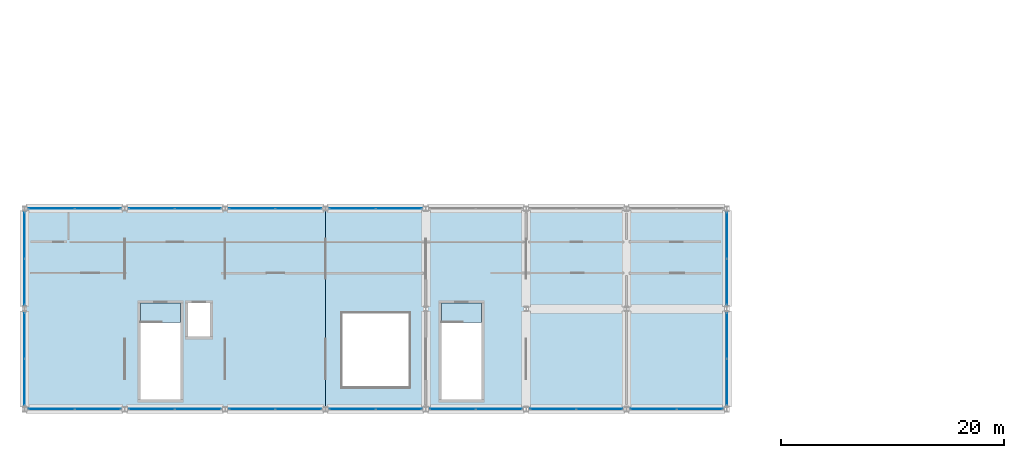
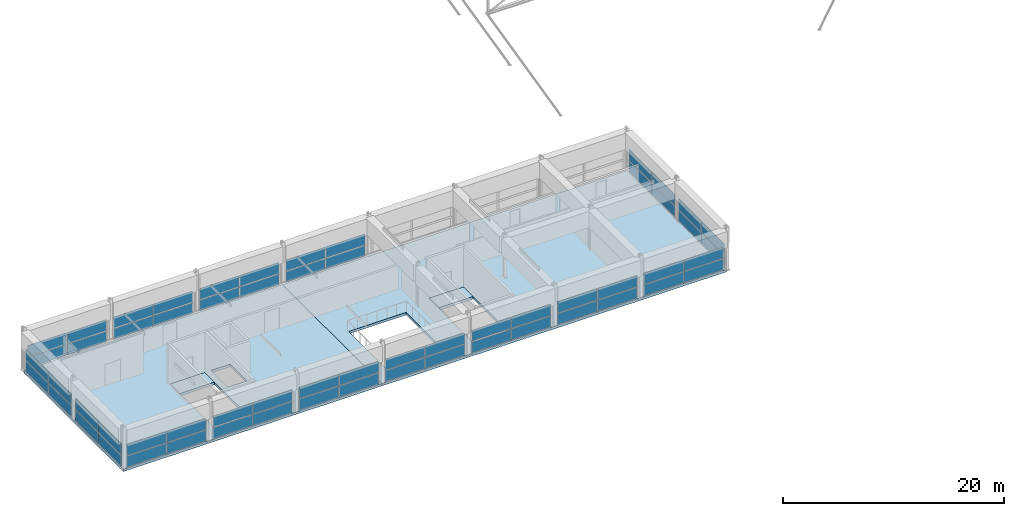
# One storey, part 45 of 56: 60 plates, 4 slabs, 15 elements without a shape of their own.
"""IFC4 building model written with IfcOpenShell, lengths in metres."""

from ifc_helpers import new_model, si_unit, direction, frame, origin, origin_2d, place, context, subcontext, project, spatial, polyline, rectangle, outline, extrude, material, layer, layer_set, type_object, element, aggregate, save


model = new_model("IFC4")

# Units and contexts
model_context = context("Model", 3, precision=1e-05, world=origin(), true_north=direction((0.0, 1.0)))
body_context = subcontext(model_context, "Body", "Model", "MODEL_VIEW")
ifc_project = project(units=[si_unit("LENGTHUNIT", "METRE"), si_unit("AREAUNIT", "SQUARE_METRE"), si_unit("VOLUMEUNIT", "CUBIC_METRE"), si_unit("PLANEANGLEUNIT", "RADIAN"), si_unit("MASSUNIT", "GRAM", prefix="KILO")], contexts=[model_context])

# Site, building, storey
site_placement = place(None, origin())
site = spatial("IfcSite", under=ifc_project, at=site_placement, CompositionType="ELEMENT")
building_placement = place(site_placement, origin())
building = spatial("IfcBuilding", under=site, at=building_placement, Name="Bozkorgan Art Gallery", CompositionType="ELEMENT")
storey_placement = place(building_placement, frame((0.0, 0.0, 24.0)))
storey = spatial("IfcBuildingStorey", under=building, at=storey_placement, Name="L05", CompositionType="ELEMENT", Elevation=24.0)

# Curtain wall, plates
ifc_material_1 = material(Name="Anodised Bronze Aluminium", Category="aluminium")
curtain_wall_type = type_object("IfcCurtainWallType", Name="CW-CW-23", PredefinedType="NOTDEFINED", material=ifc_material_1)
curtain_wall_1_placement = place(storey_placement, origin())
curtain_wall_1 = element("IfcCurtainWall", 1, at=curtain_wall_1_placement, inside=storey, type_object=curtain_wall_type, Name="L05 unitised curtain wall CW-V1-L05-1S-01", PredefinedType="NOTDEFINED")
ifc_material_2 = material(Name="Triple Low-E Laminated Glass", Category="glass")
ifc_layer_1 = layer(ifc_material_2, 0.0439453125, Name="Triple Low-E Laminated Glass")
ifc_layer_set_1 = layer_set([ifc_layer_1], Name="Triple Low-E Laminated Glass")
plate_type = type_object("IfcPlateType", Name="CWP-GLZ", PredefinedType="CURTAIN_PANEL", material=ifc_layer_set_1)
plate_1_placement = place(storey_placement, frame((4.423828125, 2.0, 0.10009765625), z_axis=(0.0, 0.0, 1.0), x_axis=(1.0, 0.0, 0.0)))
plate_1 = element("IfcPlate", 2, at=plate_1_placement, type_object=plate_type, Name="CW-23 panel 1.1", PredefinedType="CURTAIN_PANEL", context=body_context, shape_type="SweptSolid", body=[
    extrude(rectangle(XDim=4.08740234375, YDim=0.0439453125, at=origin_2d()), origin(), (0.0, 0.0, 1.0), 1.202880859375),
])
plate_2_placement = place(storey_placement, frame((4.423828125, 2.0, 1.3828125), z_axis=(0.0, 0.0, 1.0), x_axis=(1.0, 0.0, 0.0)))
plate_2 = element("IfcPlate", 3, at=plate_2_placement, type_object=plate_type, Name="CW-23 panel 1.2", PredefinedType="CURTAIN_PANEL", context=body_context, shape_type="SweptSolid", body=[
    extrude(rectangle(XDim=4.08740234375, YDim=0.0439453125, at=origin_2d()), origin(), (0.0, 0.0, 1.0), 1.201904296875),
])
plate_3_placement = place(storey_placement, frame((8.576171875, 2.0, 0.10009765625), z_axis=(0.0, 0.0, 1.0), x_axis=(1.0, 0.0, 0.0)))
plate_3 = element("IfcPlate", 4, at=plate_3_placement, type_object=plate_type, Name="CW-23 panel 2.1", PredefinedType="CURTAIN_PANEL", context=body_context, shape_type="SweptSolid", body=[
    extrude(rectangle(XDim=4.08740234375, YDim=0.0439453125, at=origin_2d()), origin(), (0.0, 0.0, 1.0), 1.202880859375),
])
plate_4_placement = place(storey_placement, frame((8.576171875, 2.0, 1.3828125), z_axis=(0.0, 0.0, 1.0), x_axis=(1.0, 0.0, 0.0)))
plate_4 = element("IfcPlate", 5, at=plate_4_placement, type_object=plate_type, Name="CW-23 panel 2.2", PredefinedType="CURTAIN_PANEL", context=body_context, shape_type="SweptSolid", body=[
    extrude(rectangle(XDim=4.08740234375, YDim=0.0439453125, at=origin_2d()), origin(), (0.0, 0.0, 1.0), 1.201904296875),
])
aggregate(curtain_wall_1, [plate_1, plate_2, plate_3, plate_4])

curtain_wall_2_placement = place(storey_placement, origin())
curtain_wall_2 = element("IfcCurtainWall", 6, at=curtain_wall_2_placement, inside=storey, type_object=curtain_wall_type, Name="L05 unitised curtain wall CW-V1-L05-1N-02", PredefinedType="NOTDEFINED")
plate_5_placement = place(storey_placement, frame((4.423828125, 20.0, 0.10009765625), z_axis=(0.0, 0.0, 1.0), x_axis=(1.0, 0.0, 0.0)))
plate_5 = element("IfcPlate", 7, at=plate_5_placement, type_object=plate_type, Name="CW-23 panel 1.1", PredefinedType="CURTAIN_PANEL", context=body_context, shape_type="SweptSolid", body=[
    extrude(rectangle(XDim=4.08740234375, YDim=0.0439453125, at=origin_2d()), origin(), (0.0, 0.0, 1.0), 1.202880859375),
])
plate_6_placement = place(storey_placement, frame((4.423828125, 20.0, 1.3828125), z_axis=(0.0, 0.0, 1.0), x_axis=(1.0, 0.0, 0.0)))
plate_6 = element("IfcPlate", 8, at=plate_6_placement, type_object=plate_type, Name="CW-23 panel 1.2", PredefinedType="CURTAIN_PANEL", context=body_context, shape_type="SweptSolid", body=[
    extrude(rectangle(XDim=4.08740234375, YDim=0.0439453125, at=origin_2d()), origin(), (0.0, 0.0, 1.0), 1.201904296875),
])
plate_7_placement = place(storey_placement, frame((8.576171875, 20.0, 0.10009765625), z_axis=(0.0, 0.0, 1.0), x_axis=(1.0, 0.0, 0.0)))
plate_7 = element("IfcPlate", 9, at=plate_7_placement, type_object=plate_type, Name="CW-23 panel 2.1", PredefinedType="CURTAIN_PANEL", context=body_context, shape_type="SweptSolid", body=[
    extrude(rectangle(XDim=4.08740234375, YDim=0.0439453125, at=origin_2d()), origin(), (0.0, 0.0, 1.0), 1.202880859375),
])
plate_8_placement = place(storey_placement, frame((8.576171875, 20.0, 1.3828125), z_axis=(0.0, 0.0, 1.0), x_axis=(1.0, 0.0, 0.0)))
plate_8 = element("IfcPlate", 10, at=plate_8_placement, type_object=plate_type, Name="CW-23 panel 2.2", PredefinedType="CURTAIN_PANEL", context=body_context, shape_type="SweptSolid", body=[
    extrude(rectangle(XDim=4.08740234375, YDim=0.0439453125, at=origin_2d()), origin(), (0.0, 0.0, 1.0), 1.201904296875),
])
aggregate(curtain_wall_2, [plate_5, plate_6, plate_7, plate_8])

curtain_wall_3_placement = place(storey_placement, origin())
curtain_wall_3 = element("IfcCurtainWall", 11, at=curtain_wall_3_placement, inside=storey, type_object=curtain_wall_type, Name="L05 unitised curtain wall CW-V1-L05-1S-03", PredefinedType="NOTDEFINED")
plate_9_placement = place(storey_placement, frame((13.423828125, 2.0, 0.10009765625), z_axis=(0.0, 0.0, 1.0), x_axis=(1.0, 0.0, 0.0)))
plate_9 = element("IfcPlate", 12, at=plate_9_placement, type_object=plate_type, Name="CW-23 panel 1.1", PredefinedType="CURTAIN_PANEL", context=body_context, shape_type="SweptSolid", body=[
    extrude(rectangle(XDim=4.08740234375, YDim=0.0439453125, at=origin_2d()), origin(), (0.0, 0.0, 1.0), 1.202880859375),
])
plate_10_placement = place(storey_placement, frame((13.423828125, 2.0, 1.3828125), z_axis=(0.0, 0.0, 1.0), x_axis=(1.0, 0.0, 0.0)))
plate_10 = element("IfcPlate", 13, at=plate_10_placement, type_object=plate_type, Name="CW-23 panel 1.2", PredefinedType="CURTAIN_PANEL", context=body_context, shape_type="SweptSolid", body=[
    extrude(rectangle(XDim=4.08740234375, YDim=0.0439453125, at=origin_2d()), origin(), (0.0, 0.0, 1.0), 1.201904296875),
])
plate_11_placement = place(storey_placement, frame((17.576171875, 2.0, 0.10009765625), z_axis=(0.0, 0.0, 1.0), x_axis=(1.0, 0.0, 0.0)))
plate_11 = element("IfcPlate", 14, at=plate_11_placement, type_object=plate_type, Name="CW-23 panel 2.1", PredefinedType="CURTAIN_PANEL", context=body_context, shape_type="SweptSolid", body=[
    extrude(rectangle(XDim=4.08740234375, YDim=0.0439453125, at=origin_2d()), origin(), (0.0, 0.0, 1.0), 1.202880859375),
])
plate_12_placement = place(storey_placement, frame((17.576171875, 2.0, 1.3828125), z_axis=(0.0, 0.0, 1.0), x_axis=(1.0, 0.0, 0.0)))
plate_12 = element("IfcPlate", 15, at=plate_12_placement, type_object=plate_type, Name="CW-23 panel 2.2", PredefinedType="CURTAIN_PANEL", context=body_context, shape_type="SweptSolid", body=[
    extrude(rectangle(XDim=4.08740234375, YDim=0.0439453125, at=origin_2d()), origin(), (0.0, 0.0, 1.0), 1.201904296875),
])
aggregate(curtain_wall_3, [plate_9, plate_10, plate_11, plate_12])

curtain_wall_4_placement = place(storey_placement, origin())
curtain_wall_4 = element("IfcCurtainWall", 16, at=curtain_wall_4_placement, inside=storey, type_object=curtain_wall_type, Name="L05 unitised curtain wall CW-V1-L05-1N-04", PredefinedType="NOTDEFINED")
plate_13_placement = place(storey_placement, frame((13.423828125, 20.0, 0.10009765625), z_axis=(0.0, 0.0, 1.0), x_axis=(1.0, 0.0, 0.0)))
plate_13 = element("IfcPlate", 17, at=plate_13_placement, type_object=plate_type, Name="CW-23 panel 1.1", PredefinedType="CURTAIN_PANEL", context=body_context, shape_type="SweptSolid", body=[
    extrude(rectangle(XDim=4.08740234375, YDim=0.0439453125, at=origin_2d()), origin(), (0.0, 0.0, 1.0), 1.202880859375),
])
plate_14_placement = place(storey_placement, frame((13.423828125, 20.0, 1.3828125), z_axis=(0.0, 0.0, 1.0), x_axis=(1.0, 0.0, 0.0)))
plate_14 = element("IfcPlate", 18, at=plate_14_placement, type_object=plate_type, Name="CW-23 panel 1.2", PredefinedType="CURTAIN_PANEL", context=body_context, shape_type="SweptSolid", body=[
    extrude(rectangle(XDim=4.08740234375, YDim=0.0439453125, at=origin_2d()), origin(), (0.0, 0.0, 1.0), 1.201904296875),
])
plate_15_placement = place(storey_placement, frame((17.576171875, 20.0, 0.10009765625), z_axis=(0.0, 0.0, 1.0), x_axis=(1.0, 0.0, 0.0)))
plate_15 = element("IfcPlate", 19, at=plate_15_placement, type_object=plate_type, Name="CW-23 panel 2.1", PredefinedType="CURTAIN_PANEL", context=body_context, shape_type="SweptSolid", body=[
    extrude(rectangle(XDim=4.08740234375, YDim=0.0439453125, at=origin_2d()), origin(), (0.0, 0.0, 1.0), 1.202880859375),
])
plate_16_placement = place(storey_placement, frame((17.576171875, 20.0, 1.3828125), z_axis=(0.0, 0.0, 1.0), x_axis=(1.0, 0.0, 0.0)))
plate_16 = element("IfcPlate", 20, at=plate_16_placement, type_object=plate_type, Name="CW-23 panel 2.2", PredefinedType="CURTAIN_PANEL", context=body_context, shape_type="SweptSolid", body=[
    extrude(rectangle(XDim=4.08740234375, YDim=0.0439453125, at=origin_2d()), origin(), (0.0, 0.0, 1.0), 1.201904296875),
])
aggregate(curtain_wall_4, [plate_13, plate_14, plate_15, plate_16])

curtain_wall_5_placement = place(storey_placement, origin())
curtain_wall_5 = element("IfcCurtainWall", 21, at=curtain_wall_5_placement, inside=storey, type_object=curtain_wall_type, Name="L05 unitised curtain wall CW-V1-L05-1S-05", PredefinedType="NOTDEFINED")
plate_17_placement = place(storey_placement, frame((22.423828125, 2.0, 0.10009765625), z_axis=(0.0, 0.0, 1.0), x_axis=(1.0, 0.0, 0.0)))
plate_17 = element("IfcPlate", 22, at=plate_17_placement, type_object=plate_type, Name="CW-23 panel 1.1", PredefinedType="CURTAIN_PANEL", context=body_context, shape_type="SweptSolid", body=[
    extrude(rectangle(XDim=4.08740234375, YDim=0.0439453125, at=origin_2d()), origin(), (0.0, 0.0, 1.0), 1.202880859375),
])
plate_18_placement = place(storey_placement, frame((22.423828125, 2.0, 1.3828125), z_axis=(0.0, 0.0, 1.0), x_axis=(1.0, 0.0, 0.0)))
plate_18 = element("IfcPlate", 23, at=plate_18_placement, type_object=plate_type, Name="CW-23 panel 1.2", PredefinedType="CURTAIN_PANEL", context=body_context, shape_type="SweptSolid", body=[
    extrude(rectangle(XDim=4.08740234375, YDim=0.0439453125, at=origin_2d()), origin(), (0.0, 0.0, 1.0), 1.201904296875),
])
plate_19_placement = place(storey_placement, frame((26.576171875, 2.0, 0.10009765625), z_axis=(0.0, 0.0, 1.0), x_axis=(1.0, 0.0, 0.0)))
plate_19 = element("IfcPlate", 24, at=plate_19_placement, type_object=plate_type, Name="CW-23 panel 2.1", PredefinedType="CURTAIN_PANEL", context=body_context, shape_type="SweptSolid", body=[
    extrude(rectangle(XDim=4.08740234375, YDim=0.0439453125, at=origin_2d()), origin(), (0.0, 0.0, 1.0), 1.202880859375),
])
plate_20_placement = place(storey_placement, frame((26.576171875, 2.0, 1.3828125), z_axis=(0.0, 0.0, 1.0), x_axis=(1.0, 0.0, 0.0)))
plate_20 = element("IfcPlate", 25, at=plate_20_placement, type_object=plate_type, Name="CW-23 panel 2.2", PredefinedType="CURTAIN_PANEL", context=body_context, shape_type="SweptSolid", body=[
    extrude(rectangle(XDim=4.08740234375, YDim=0.0439453125, at=origin_2d()), origin(), (0.0, 0.0, 1.0), 1.201904296875),
])
aggregate(curtain_wall_5, [plate_17, plate_18, plate_19, plate_20])

curtain_wall_6_placement = place(storey_placement, origin())
curtain_wall_6 = element("IfcCurtainWall", 26, at=curtain_wall_6_placement, inside=storey, type_object=curtain_wall_type, Name="L05 unitised curtain wall CW-V1-L05-1N-06", PredefinedType="NOTDEFINED")
plate_21_placement = place(storey_placement, frame((22.423828125, 20.0, 0.10009765625), z_axis=(0.0, 0.0, 1.0), x_axis=(1.0, 0.0, 0.0)))
plate_21 = element("IfcPlate", 27, at=plate_21_placement, type_object=plate_type, Name="CW-23 panel 1.1", PredefinedType="CURTAIN_PANEL", context=body_context, shape_type="SweptSolid", body=[
    extrude(rectangle(XDim=4.08740234375, YDim=0.0439453125, at=origin_2d()), origin(), (0.0, 0.0, 1.0), 1.202880859375),
])
plate_22_placement = place(storey_placement, frame((22.423828125, 20.0, 1.3828125), z_axis=(0.0, 0.0, 1.0), x_axis=(1.0, 0.0, 0.0)))
plate_22 = element("IfcPlate", 28, at=plate_22_placement, type_object=plate_type, Name="CW-23 panel 1.2", PredefinedType="CURTAIN_PANEL", context=body_context, shape_type="SweptSolid", body=[
    extrude(rectangle(XDim=4.08740234375, YDim=0.0439453125, at=origin_2d()), origin(), (0.0, 0.0, 1.0), 1.201904296875),
])
plate_23_placement = place(storey_placement, frame((26.576171875, 20.0, 0.10009765625), z_axis=(0.0, 0.0, 1.0), x_axis=(1.0, 0.0, 0.0)))
plate_23 = element("IfcPlate", 29, at=plate_23_placement, type_object=plate_type, Name="CW-23 panel 2.1", PredefinedType="CURTAIN_PANEL", context=body_context, shape_type="SweptSolid", body=[
    extrude(rectangle(XDim=4.08740234375, YDim=0.0439453125, at=origin_2d()), origin(), (0.0, 0.0, 1.0), 1.202880859375),
])
plate_24_placement = place(storey_placement, frame((26.576171875, 20.0, 1.3828125), z_axis=(0.0, 0.0, 1.0), x_axis=(1.0, 0.0, 0.0)))
plate_24 = element("IfcPlate", 30, at=plate_24_placement, type_object=plate_type, Name="CW-23 panel 2.2", PredefinedType="CURTAIN_PANEL", context=body_context, shape_type="SweptSolid", body=[
    extrude(rectangle(XDim=4.08740234375, YDim=0.0439453125, at=origin_2d()), origin(), (0.0, 0.0, 1.0), 1.201904296875),
])
aggregate(curtain_wall_6, [plate_21, plate_22, plate_23, plate_24])

curtain_wall_7_placement = place(storey_placement, origin())
curtain_wall_7 = element("IfcCurtainWall", 31, at=curtain_wall_7_placement, inside=storey, type_object=curtain_wall_type, Name="L05 unitised curtain wall CW-V1-L05-1S-07", PredefinedType="NOTDEFINED")
plate_25_placement = place(storey_placement, frame((31.423828125, 2.0, 0.10009765625), z_axis=(0.0, 0.0, 1.0), x_axis=(1.0, 0.0, 0.0)))
plate_25 = element("IfcPlate", 32, at=plate_25_placement, type_object=plate_type, Name="CW-23 panel 1.1", PredefinedType="CURTAIN_PANEL", context=body_context, shape_type="SweptSolid", body=[
    extrude(rectangle(XDim=4.08740234375, YDim=0.0439453125, at=origin_2d()), origin(), (0.0, 0.0, 1.0), 1.202880859375),
])
plate_26_placement = place(storey_placement, frame((31.423828125, 2.0, 1.3828125), z_axis=(0.0, 0.0, 1.0), x_axis=(1.0, 0.0, 0.0)))
plate_26 = element("IfcPlate", 33, at=plate_26_placement, type_object=plate_type, Name="CW-23 panel 1.2", PredefinedType="CURTAIN_PANEL", context=body_context, shape_type="SweptSolid", body=[
    extrude(rectangle(XDim=4.08740234375, YDim=0.0439453125, at=origin_2d()), origin(), (0.0, 0.0, 1.0), 1.201904296875),
])
plate_27_placement = place(storey_placement, frame((35.576171875, 2.0, 0.10009765625), z_axis=(0.0, 0.0, 1.0), x_axis=(1.0, 0.0, 0.0)))
plate_27 = element("IfcPlate", 34, at=plate_27_placement, type_object=plate_type, Name="CW-23 panel 2.1", PredefinedType="CURTAIN_PANEL", context=body_context, shape_type="SweptSolid", body=[
    extrude(rectangle(XDim=4.08740234375, YDim=0.0439453125, at=origin_2d()), origin(), (0.0, 0.0, 1.0), 1.202880859375),
])
plate_28_placement = place(storey_placement, frame((35.576171875, 2.0, 1.3828125), z_axis=(0.0, 0.0, 1.0), x_axis=(1.0, 0.0, 0.0)))
plate_28 = element("IfcPlate", 35, at=plate_28_placement, type_object=plate_type, Name="CW-23 panel 2.2", PredefinedType="CURTAIN_PANEL", context=body_context, shape_type="SweptSolid", body=[
    extrude(rectangle(XDim=4.08740234375, YDim=0.0439453125, at=origin_2d()), origin(), (0.0, 0.0, 1.0), 1.201904296875),
])
aggregate(curtain_wall_7, [plate_25, plate_26, plate_27, plate_28])

curtain_wall_8_placement = place(storey_placement, origin())
curtain_wall_8 = element("IfcCurtainWall", 36, at=curtain_wall_8_placement, inside=storey, type_object=curtain_wall_type, Name="L05 unitised curtain wall CW-V1-L05-1N-08", PredefinedType="NOTDEFINED")
plate_29_placement = place(storey_placement, frame((31.423828125, 20.0, 0.10009765625), z_axis=(0.0, 0.0, 1.0), x_axis=(1.0, 0.0, 0.0)))
plate_29 = element("IfcPlate", 37, at=plate_29_placement, type_object=plate_type, Name="CW-23 panel 1.1", PredefinedType="CURTAIN_PANEL", context=body_context, shape_type="SweptSolid", body=[
    extrude(rectangle(XDim=4.08740234375, YDim=0.0439453125, at=origin_2d()), origin(), (0.0, 0.0, 1.0), 1.202880859375),
])
plate_30_placement = place(storey_placement, frame((31.423828125, 20.0, 1.3828125), z_axis=(0.0, 0.0, 1.0), x_axis=(1.0, 0.0, 0.0)))
plate_30 = element("IfcPlate", 38, at=plate_30_placement, type_object=plate_type, Name="CW-23 panel 1.2", PredefinedType="CURTAIN_PANEL", context=body_context, shape_type="SweptSolid", body=[
    extrude(rectangle(XDim=4.08740234375, YDim=0.0439453125, at=origin_2d()), origin(), (0.0, 0.0, 1.0), 1.201904296875),
])
plate_31_placement = place(storey_placement, frame((35.576171875, 20.0, 0.10009765625), z_axis=(0.0, 0.0, 1.0), x_axis=(1.0, 0.0, 0.0)))
plate_31 = element("IfcPlate", 39, at=plate_31_placement, type_object=plate_type, Name="CW-23 panel 2.1", PredefinedType="CURTAIN_PANEL", context=body_context, shape_type="SweptSolid", body=[
    extrude(rectangle(XDim=4.08740234375, YDim=0.0439453125, at=origin_2d()), origin(), (0.0, 0.0, 1.0), 1.202880859375),
])
plate_32_placement = place(storey_placement, frame((35.576171875, 20.0, 1.3828125), z_axis=(0.0, 0.0, 1.0), x_axis=(1.0, 0.0, 0.0)))
plate_32 = element("IfcPlate", 40, at=plate_32_placement, type_object=plate_type, Name="CW-23 panel 2.2", PredefinedType="CURTAIN_PANEL", context=body_context, shape_type="SweptSolid", body=[
    extrude(rectangle(XDim=4.08740234375, YDim=0.0439453125, at=origin_2d()), origin(), (0.0, 0.0, 1.0), 1.201904296875),
])
aggregate(curtain_wall_8, [plate_29, plate_30, plate_31, plate_32])

curtain_wall_9_placement = place(storey_placement, origin())
curtain_wall_9 = element("IfcCurtainWall", 41, at=curtain_wall_9_placement, inside=storey, type_object=curtain_wall_type, Name="L05 unitised curtain wall CW-V1-L05-1S-09", PredefinedType="NOTDEFINED")
plate_33_placement = place(storey_placement, frame((40.423828125, 2.0, 0.10009765625), z_axis=(0.0, 0.0, 1.0), x_axis=(1.0, 0.0, 0.0)))
plate_33 = element("IfcPlate", 42, at=plate_33_placement, type_object=plate_type, Name="CW-23 panel 1.1", PredefinedType="CURTAIN_PANEL", context=body_context, shape_type="SweptSolid", body=[
    extrude(rectangle(XDim=4.08740234375, YDim=0.0439453125, at=origin_2d()), origin(), (0.0, 0.0, 1.0), 1.202880859375),
])
plate_34_placement = place(storey_placement, frame((40.423828125, 2.0, 1.3828125), z_axis=(0.0, 0.0, 1.0), x_axis=(1.0, 0.0, 0.0)))
plate_34 = element("IfcPlate", 43, at=plate_34_placement, type_object=plate_type, Name="CW-23 panel 1.2", PredefinedType="CURTAIN_PANEL", context=body_context, shape_type="SweptSolid", body=[
    extrude(rectangle(XDim=4.08740234375, YDim=0.0439453125, at=origin_2d()), origin(), (0.0, 0.0, 1.0), 1.201904296875),
])
plate_35_placement = place(storey_placement, frame((44.576171875, 2.0, 0.10009765625), z_axis=(0.0, 0.0, 1.0), x_axis=(1.0, 0.0, 0.0)))
plate_35 = element("IfcPlate", 44, at=plate_35_placement, type_object=plate_type, Name="CW-23 panel 2.1", PredefinedType="CURTAIN_PANEL", context=body_context, shape_type="SweptSolid", body=[
    extrude(rectangle(XDim=4.08740234375, YDim=0.0439453125, at=origin_2d()), origin(), (0.0, 0.0, 1.0), 1.202880859375),
])
plate_36_placement = place(storey_placement, frame((44.576171875, 2.0, 1.3828125), z_axis=(0.0, 0.0, 1.0), x_axis=(1.0, 0.0, 0.0)))
plate_36 = element("IfcPlate", 45, at=plate_36_placement, type_object=plate_type, Name="CW-23 panel 2.2", PredefinedType="CURTAIN_PANEL", context=body_context, shape_type="SweptSolid", body=[
    extrude(rectangle(XDim=4.08740234375, YDim=0.0439453125, at=origin_2d()), origin(), (0.0, 0.0, 1.0), 1.201904296875),
])
aggregate(curtain_wall_9, [plate_33, plate_34, plate_35, plate_36])

curtain_wall_10_placement = place(storey_placement, origin())
curtain_wall_10 = element("IfcCurtainWall", 46, at=curtain_wall_10_placement, inside=storey, type_object=curtain_wall_type, Name="L05 unitised curtain wall CW-V1-L05-1S-11", PredefinedType="NOTDEFINED")
plate_37_placement = place(storey_placement, frame((49.423828125, 2.0, 0.10009765625), z_axis=(0.0, 0.0, 1.0), x_axis=(1.0, 0.0, 0.0)))
plate_37 = element("IfcPlate", 47, at=plate_37_placement, type_object=plate_type, Name="CW-23 panel 1.1", PredefinedType="CURTAIN_PANEL", context=body_context, shape_type="SweptSolid", body=[
    extrude(rectangle(XDim=4.08740234375, YDim=0.0439453125, at=origin_2d()), origin(), (0.0, 0.0, 1.0), 1.202880859375),
])
plate_38_placement = place(storey_placement, frame((49.423828125, 2.0, 1.3828125), z_axis=(0.0, 0.0, 1.0), x_axis=(1.0, 0.0, 0.0)))
plate_38 = element("IfcPlate", 48, at=plate_38_placement, type_object=plate_type, Name="CW-23 panel 1.2", PredefinedType="CURTAIN_PANEL", context=body_context, shape_type="SweptSolid", body=[
    extrude(rectangle(XDim=4.08740234375, YDim=0.0439453125, at=origin_2d()), origin(), (0.0, 0.0, 1.0), 1.201904296875),
])
plate_39_placement = place(storey_placement, frame((53.576171875, 2.0, 0.10009765625), z_axis=(0.0, 0.0, 1.0), x_axis=(1.0, 0.0, 0.0)))
plate_39 = element("IfcPlate", 49, at=plate_39_placement, type_object=plate_type, Name="CW-23 panel 2.1", PredefinedType="CURTAIN_PANEL", context=body_context, shape_type="SweptSolid", body=[
    extrude(rectangle(XDim=4.08740234375, YDim=0.0439453125, at=origin_2d()), origin(), (0.0, 0.0, 1.0), 1.202880859375),
])
plate_40_placement = place(storey_placement, frame((53.576171875, 2.0, 1.3828125), z_axis=(0.0, 0.0, 1.0), x_axis=(1.0, 0.0, 0.0)))
plate_40 = element("IfcPlate", 50, at=plate_40_placement, type_object=plate_type, Name="CW-23 panel 2.2", PredefinedType="CURTAIN_PANEL", context=body_context, shape_type="SweptSolid", body=[
    extrude(rectangle(XDim=4.08740234375, YDim=0.0439453125, at=origin_2d()), origin(), (0.0, 0.0, 1.0), 1.201904296875),
])
aggregate(curtain_wall_10, [plate_37, plate_38, plate_39, plate_40])

curtain_wall_11_placement = place(storey_placement, origin())
curtain_wall_11 = element("IfcCurtainWall", 51, at=curtain_wall_11_placement, inside=storey, type_object=curtain_wall_type, Name="L05 unitised curtain wall CW-V1-L05-1S-13", PredefinedType="NOTDEFINED")
plate_41_placement = place(storey_placement, frame((58.423828125, 2.0, 0.10009765625), z_axis=(0.0, 0.0, 1.0), x_axis=(1.0, 0.0, 0.0)))
plate_41 = element("IfcPlate", 52, at=plate_41_placement, type_object=plate_type, Name="CW-23 panel 1.1", PredefinedType="CURTAIN_PANEL", context=body_context, shape_type="SweptSolid", body=[
    extrude(rectangle(XDim=4.08740234375, YDim=0.0439453125, at=origin_2d()), origin(), (0.0, 0.0, 1.0), 1.202880859375),
])
plate_42_placement = place(storey_placement, frame((58.423828125, 2.0, 1.3828125), z_axis=(0.0, 0.0, 1.0), x_axis=(1.0, 0.0, 0.0)))
plate_42 = element("IfcPlate", 53, at=plate_42_placement, type_object=plate_type, Name="CW-23 panel 1.2", PredefinedType="CURTAIN_PANEL", context=body_context, shape_type="SweptSolid", body=[
    extrude(rectangle(XDim=4.08740234375, YDim=0.0439453125, at=origin_2d()), origin(), (0.0, 0.0, 1.0), 1.201904296875),
])
plate_43_placement = place(storey_placement, frame((62.576171875, 2.0, 0.10009765625), z_axis=(0.0, 0.0, 1.0), x_axis=(1.0, 0.0, 0.0)))
plate_43 = element("IfcPlate", 54, at=plate_43_placement, type_object=plate_type, Name="CW-23 panel 2.1", PredefinedType="CURTAIN_PANEL", context=body_context, shape_type="SweptSolid", body=[
    extrude(rectangle(XDim=4.08740234375, YDim=0.0439453125, at=origin_2d()), origin(), (0.0, 0.0, 1.0), 1.202880859375),
])
plate_44_placement = place(storey_placement, frame((62.576171875, 2.0, 1.3828125), z_axis=(0.0, 0.0, 1.0), x_axis=(1.0, 0.0, 0.0)))
plate_44 = element("IfcPlate", 55, at=plate_44_placement, type_object=plate_type, Name="CW-23 panel 2.2", PredefinedType="CURTAIN_PANEL", context=body_context, shape_type="SweptSolid", body=[
    extrude(rectangle(XDim=4.08740234375, YDim=0.0439453125, at=origin_2d()), origin(), (0.0, 0.0, 1.0), 1.201904296875),
])
aggregate(curtain_wall_11, [plate_41, plate_42, plate_43, plate_44])

curtain_wall_12_placement = place(storey_placement, origin())
curtain_wall_12 = element("IfcCurtainWall", 56, at=curtain_wall_12_placement, inside=storey, type_object=curtain_wall_type, Name="L05 unitised curtain wall CW-V1-L05-1W-15", PredefinedType="NOTDEFINED")
plate_45_placement = place(storey_placement, frame((2.0, 4.423828125, 0.10009765625), z_axis=(0.0, 0.0, 1.0), x_axis=(0.0, 1.0, 0.0)))
plate_45 = element("IfcPlate", 57, at=plate_45_placement, type_object=plate_type, Name="CW-23 panel 1.1", PredefinedType="CURTAIN_PANEL", context=body_context, shape_type="SweptSolid", body=[
    extrude(rectangle(XDim=4.08740234375, YDim=0.0439453125, at=origin_2d()), origin(), (0.0, 0.0, 1.0), 1.202880859375),
])
plate_46_placement = place(storey_placement, frame((2.0, 4.423828125, 1.3828125), z_axis=(0.0, 0.0, 1.0), x_axis=(0.0, 1.0, 0.0)))
plate_46 = element("IfcPlate", 58, at=plate_46_placement, type_object=plate_type, Name="CW-23 panel 1.2", PredefinedType="CURTAIN_PANEL", context=body_context, shape_type="SweptSolid", body=[
    extrude(rectangle(XDim=4.08740234375, YDim=0.0439453125, at=origin_2d()), origin(), (0.0, 0.0, 1.0), 1.201904296875),
])
plate_47_placement = place(storey_placement, frame((2.0, 8.576171875, 0.10009765625), z_axis=(0.0, 0.0, 1.0), x_axis=(0.0, 1.0, 0.0)))
plate_47 = element("IfcPlate", 59, at=plate_47_placement, type_object=plate_type, Name="CW-23 panel 2.1", PredefinedType="CURTAIN_PANEL", context=body_context, shape_type="SweptSolid", body=[
    extrude(rectangle(XDim=4.08740234375, YDim=0.0439453125, at=origin_2d()), origin(), (0.0, 0.0, 1.0), 1.202880859375),
])
plate_48_placement = place(storey_placement, frame((2.0, 8.576171875, 1.3828125), z_axis=(0.0, 0.0, 1.0), x_axis=(0.0, 1.0, 0.0)))
plate_48 = element("IfcPlate", 60, at=plate_48_placement, type_object=plate_type, Name="CW-23 panel 2.2", PredefinedType="CURTAIN_PANEL", context=body_context, shape_type="SweptSolid", body=[
    extrude(rectangle(XDim=4.08740234375, YDim=0.0439453125, at=origin_2d()), origin(), (0.0, 0.0, 1.0), 1.201904296875),
])
aggregate(curtain_wall_12, [plate_45, plate_46, plate_47, plate_48])

curtain_wall_13_placement = place(storey_placement, origin())
curtain_wall_13 = element("IfcCurtainWall", 61, at=curtain_wall_13_placement, inside=storey, type_object=curtain_wall_type, Name="L05 unitised curtain wall CW-V1-L05-1E-16", PredefinedType="NOTDEFINED")
plate_49_placement = place(storey_placement, frame((65.0, 4.423828125, 0.10009765625), z_axis=(0.0, 0.0, 1.0), x_axis=(0.0, 1.0, 0.0)))
plate_49 = element("IfcPlate", 62, at=plate_49_placement, type_object=plate_type, Name="CW-23 panel 1.1", PredefinedType="CURTAIN_PANEL", context=body_context, shape_type="SweptSolid", body=[
    extrude(rectangle(XDim=4.08740234375, YDim=0.0439453125, at=origin_2d()), origin(), (0.0, 0.0, 1.0), 1.202880859375),
])
plate_50_placement = place(storey_placement, frame((65.0, 4.423828125, 1.3828125), z_axis=(0.0, 0.0, 1.0), x_axis=(0.0, 1.0, 0.0)))
plate_50 = element("IfcPlate", 63, at=plate_50_placement, type_object=plate_type, Name="CW-23 panel 1.2", PredefinedType="CURTAIN_PANEL", context=body_context, shape_type="SweptSolid", body=[
    extrude(rectangle(XDim=4.08740234375, YDim=0.0439453125, at=origin_2d()), origin(), (0.0, 0.0, 1.0), 1.201904296875),
])
plate_51_placement = place(storey_placement, frame((65.0, 8.576171875, 0.10009765625), z_axis=(0.0, 0.0, 1.0), x_axis=(0.0, 1.0, 0.0)))
plate_51 = element("IfcPlate", 64, at=plate_51_placement, type_object=plate_type, Name="CW-23 panel 2.1", PredefinedType="CURTAIN_PANEL", context=body_context, shape_type="SweptSolid", body=[
    extrude(rectangle(XDim=4.08740234375, YDim=0.0439453125, at=origin_2d()), origin(), (0.0, 0.0, 1.0), 1.202880859375),
])
plate_52_placement = place(storey_placement, frame((65.0, 8.576171875, 1.3828125), z_axis=(0.0, 0.0, 1.0), x_axis=(0.0, 1.0, 0.0)))
plate_52 = element("IfcPlate", 65, at=plate_52_placement, type_object=plate_type, Name="CW-23 panel 2.2", PredefinedType="CURTAIN_PANEL", context=body_context, shape_type="SweptSolid", body=[
    extrude(rectangle(XDim=4.08740234375, YDim=0.0439453125, at=origin_2d()), origin(), (0.0, 0.0, 1.0), 1.201904296875),
])
aggregate(curtain_wall_13, [plate_49, plate_50, plate_51, plate_52])

curtain_wall_14_placement = place(storey_placement, origin())
curtain_wall_14 = element("IfcCurtainWall", 66, at=curtain_wall_14_placement, inside=storey, type_object=curtain_wall_type, Name="L05 unitised curtain wall CW-V1-L05-1W-17", PredefinedType="NOTDEFINED")
plate_53_placement = place(storey_placement, frame((2.0, 13.423828125, 0.10009765625), z_axis=(0.0, 0.0, 1.0), x_axis=(0.0, 1.0, 0.0)))
plate_53 = element("IfcPlate", 67, at=plate_53_placement, type_object=plate_type, Name="CW-23 panel 1.1", PredefinedType="CURTAIN_PANEL", context=body_context, shape_type="SweptSolid", body=[
    extrude(rectangle(XDim=4.08740234375, YDim=0.0439453125, at=origin_2d()), origin(), (0.0, 0.0, 1.0), 1.202880859375),
])
plate_54_placement = place(storey_placement, frame((2.0, 13.423828125, 1.3828125), z_axis=(0.0, 0.0, 1.0), x_axis=(0.0, 1.0, 0.0)))
plate_54 = element("IfcPlate", 68, at=plate_54_placement, type_object=plate_type, Name="CW-23 panel 1.2", PredefinedType="CURTAIN_PANEL", context=body_context, shape_type="SweptSolid", body=[
    extrude(rectangle(XDim=4.08740234375, YDim=0.0439453125, at=origin_2d()), origin(), (0.0, 0.0, 1.0), 1.201904296875),
])
plate_55_placement = place(storey_placement, frame((2.0, 17.576171875, 0.10009765625), z_axis=(0.0, 0.0, 1.0), x_axis=(0.0, 1.0, 0.0)))
plate_55 = element("IfcPlate", 69, at=plate_55_placement, type_object=plate_type, Name="CW-23 panel 2.1", PredefinedType="CURTAIN_PANEL", context=body_context, shape_type="SweptSolid", body=[
    extrude(rectangle(XDim=4.08740234375, YDim=0.0439453125, at=origin_2d()), origin(), (0.0, 0.0, 1.0), 1.202880859375),
])
plate_56_placement = place(storey_placement, frame((2.0, 17.576171875, 1.3828125), z_axis=(0.0, 0.0, 1.0), x_axis=(0.0, 1.0, 0.0)))
plate_56 = element("IfcPlate", 70, at=plate_56_placement, type_object=plate_type, Name="CW-23 panel 2.2", PredefinedType="CURTAIN_PANEL", context=body_context, shape_type="SweptSolid", body=[
    extrude(rectangle(XDim=4.08740234375, YDim=0.0439453125, at=origin_2d()), origin(), (0.0, 0.0, 1.0), 1.201904296875),
])
aggregate(curtain_wall_14, [plate_53, plate_54, plate_55, plate_56])

curtain_wall_15_placement = place(storey_placement, origin())
curtain_wall_15 = element("IfcCurtainWall", 71, at=curtain_wall_15_placement, inside=storey, type_object=curtain_wall_type, Name="L05 unitised curtain wall CW-V1-L05-1E-18", PredefinedType="NOTDEFINED")
plate_57_placement = place(storey_placement, frame((65.0, 13.423828125, 0.10009765625), z_axis=(0.0, 0.0, 1.0), x_axis=(0.0, 1.0, 0.0)))
plate_57 = element("IfcPlate", 72, at=plate_57_placement, type_object=plate_type, Name="CW-23 panel 1.1", PredefinedType="CURTAIN_PANEL", context=body_context, shape_type="SweptSolid", body=[
    extrude(rectangle(XDim=4.08740234375, YDim=0.0439453125, at=origin_2d()), origin(), (0.0, 0.0, 1.0), 1.202880859375),
])
plate_58_placement = place(storey_placement, frame((65.0, 13.423828125, 1.3828125), z_axis=(0.0, 0.0, 1.0), x_axis=(0.0, 1.0, 0.0)))
plate_58 = element("IfcPlate", 73, at=plate_58_placement, type_object=plate_type, Name="CW-23 panel 1.2", PredefinedType="CURTAIN_PANEL", context=body_context, shape_type="SweptSolid", body=[
    extrude(rectangle(XDim=4.08740234375, YDim=0.0439453125, at=origin_2d()), origin(), (0.0, 0.0, 1.0), 1.201904296875),
])
plate_59_placement = place(storey_placement, frame((65.0, 17.576171875, 0.10009765625), z_axis=(0.0, 0.0, 1.0), x_axis=(0.0, 1.0, 0.0)))
plate_59 = element("IfcPlate", 74, at=plate_59_placement, type_object=plate_type, Name="CW-23 panel 2.1", PredefinedType="CURTAIN_PANEL", context=body_context, shape_type="SweptSolid", body=[
    extrude(rectangle(XDim=4.08740234375, YDim=0.0439453125, at=origin_2d()), origin(), (0.0, 0.0, 1.0), 1.202880859375),
])
plate_60_placement = place(storey_placement, frame((65.0, 17.576171875, 1.3828125), z_axis=(0.0, 0.0, 1.0), x_axis=(0.0, 1.0, 0.0)))
plate_60 = element("IfcPlate", 75, at=plate_60_placement, type_object=plate_type, Name="CW-23 panel 2.2", PredefinedType="CURTAIN_PANEL", context=body_context, shape_type="SweptSolid", body=[
    extrude(rectangle(XDim=4.08740234375, YDim=0.0439453125, at=origin_2d()), origin(), (0.0, 0.0, 1.0), 1.201904296875),
])
aggregate(curtain_wall_15, [plate_57, plate_58, plate_59, plate_60])

# Slabs
ifc_material_3 = material(Name="Concrete C35/45", Category="concrete")
ifc_layer_2 = layer(ifc_material_3, 0.25, Name="Concrete C35/45")
ifc_layer_set_2 = layer_set([ifc_layer_2], Name="Concrete C35/45")
slab_type_1 = type_object("IfcSlabType", Name="LAND-CORE1", PredefinedType="LANDING", material=ifc_layer_set_2)
slab_1_placement = place(storey_placement, frame((0.0, 0.0, -0.280029296875)))
element("IfcSlab", 76, at=slab_1_placement, inside=storey, type_object=slab_type_1, Name="ST1 L05 floor landing", PredefinedType="LANDING", context=body_context, shape_type="SweptSolid", body=[
    extrude(outline(polyline([(12.39990234375, 9.75), (16.0, 9.75), (16.0, 11.5), (12.39990234375, 11.5), (12.39990234375, 9.75)])), origin(), (0.0, 0.0, 1.0), 0.280029296875),
])
ifc_layer_3 = layer(ifc_material_3, 0.25, Name="Concrete C35/45")
ifc_layer_set_3 = layer_set([ifc_layer_3], Name="Concrete C35/45")
slab_type_2 = type_object("IfcSlabType", Name="LAND-CORE7", PredefinedType="LANDING", material=ifc_layer_set_3)
slab_2_placement = place(storey_placement, frame((0.0, 0.0, -0.280029296875)))
element("IfcSlab", 77, at=slab_2_placement, inside=storey, type_object=slab_type_2, Name="ST12 L05 floor landing", PredefinedType="LANDING", context=body_context, shape_type="SweptSolid", body=[
    extrude(outline(polyline([(39.39990234375, 9.75), (43.0, 9.75), (43.0, 11.5), (39.39990234375, 11.5), (39.39990234375, 9.75)])), origin(), (0.0, 0.0, 1.0), 0.280029296875),
])
ifc_layer_4 = layer(ifc_material_3, 0.280029296875, Name="Concrete C35/45")
ifc_layer_set_4 = layer_set([ifc_layer_4], Name="Concrete C35/45")
slab_type_3 = type_object("IfcSlabType", Name="SLAB-SL-86", PredefinedType="FLOOR", material=ifc_layer_set_4)
slab_3_placement = place(storey_placement, frame((0.0, 0.0, -0.280029296875)))
element("IfcSlab", 78, at=slab_3_placement, inside=storey, type_object=slab_type_3, Name="V1 L05 floor slab 1.1", PredefinedType="FLOOR", context=body_context, shape_type="SweptSolid", body=[
    extrude(outline(polyline([(2.0, 2.0), (29.0, 2.0), (29.0, 20.0), (2.0, 20.0), (2.0, 2.0)]), holes=[polyline([(12.39990234375, 2.85009765625), (16.0, 2.85009765625), (16.0, 11.5), (12.39990234375, 11.5), (12.39990234375, 2.85009765625)]), polyline([(16.64990234375, 8.5), (18.64990234375, 8.5), (18.64990234375, 11.5), (16.64990234375, 11.5), (16.64990234375, 8.5)])]), origin(), (0.0, 0.0, 1.0), 0.280029296875),
])
slab_4_placement = place(storey_placement, frame((0.0, 0.0, -0.280029296875)))
element("IfcSlab", 79, at=slab_4_placement, inside=storey, type_object=slab_type_3, Name="V1 L05 floor slab 1.2", PredefinedType="FLOOR", context=body_context, shape_type="SweptSolid", body=[
    extrude(outline(polyline([(29.0, 2.0), (65.0, 2.0), (65.0, 20.0), (29.0, 20.0), (29.0, 2.0)]), holes=[polyline([(39.39990234375, 2.85009765625), (43.0, 2.85009765625), (43.0, 11.5), (39.39990234375, 11.5), (39.39990234375, 2.85009765625)]), polyline([(30.5, 4.0), (36.5, 4.0), (36.5, 10.60009765625), (30.5, 10.60009765625), (30.5, 4.0)])]), origin(), (0.0, 0.0, 1.0), 0.280029296875),
])

save(model, "model.ifc")
